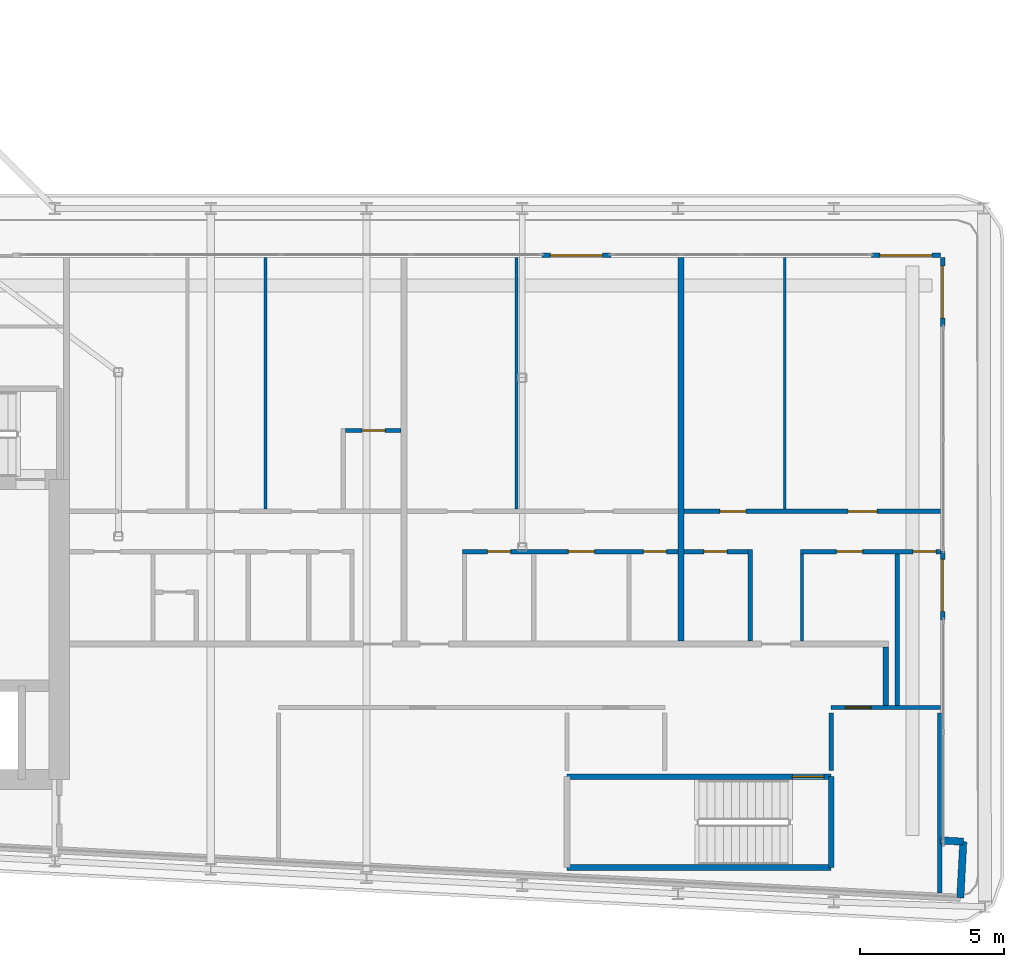
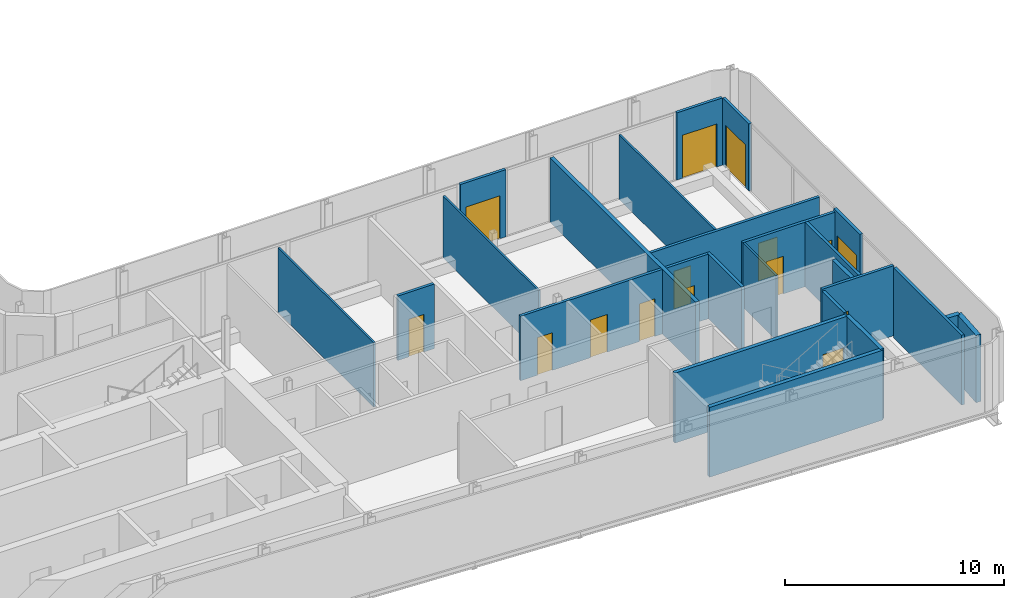
# One storey, part 12 of 21: 25 walls, 15 doors, 15 openings.
"""IFC4 building model written with IfcOpenShell, lengths in metres."""

from ifc_helpers import new_model, si_unit, direction, frame, frame_2d, origin, place, context, subcontext, project, spatial, rectangle, extrude, source, transform, mapped, material, layer, layer_set, type_object, element, fill, save


model = new_model("IFC4")

# Units and contexts
model_context = context("Model", 3, precision=1e-05, world=origin(), true_north=direction((0.0, 1.0)))
body_context = subcontext(model_context, "Body", "Model", "MODEL_VIEW")
ifc_project = project(units=[si_unit("LENGTHUNIT", "METRE"), si_unit("AREAUNIT", "SQUARE_METRE"), si_unit("VOLUMEUNIT", "CUBIC_METRE"), si_unit("PLANEANGLEUNIT", "RADIAN"), si_unit("MASSUNIT", "GRAM", prefix="KILO")], contexts=[model_context])

# Site, building, storey
site_placement = place(None, origin())
site = spatial("IfcSite", under=ifc_project, at=site_placement, CompositionType="ELEMENT")
building_placement = place(site_placement, origin())
building = spatial("IfcBuilding", under=site, at=building_placement, Name="Kheshtan School and Residences Tower", CompositionType="ELEMENT")
storey_placement = place(building_placement, frame((0.0, 0.0, 220.10009765625)))
storey = spatial("IfcBuildingStorey", under=building, at=storey_placement, Name="L51", CompositionType="ELEMENT", Elevation=220.10009765625)

# Walls
ifc_material_1 = material(Name="Gypsum board on steel studs with fire boards", Category="steel")
ifc_layer_1 = layer(ifc_material_1, 0.199951171875)
ifc_layer_set_1 = layer_set([ifc_layer_1], Name="Corridor wall 200")
wall_type_1 = type_object("IfcWallType", Name="Corridor wall 200", PredefinedType="PARTITIONING", material=ifc_layer_set_1)
wall_1_placement = place(storey_placement, frame((81.800048828125, 28.3740234375, 0.0), z_axis=(0.0, 0.0, 1.0), x_axis=(0.0, 1.0, 0.0)))
element("IfcWall", 1, at=wall_1_placement, inside=storey, type_object=wall_type_1, Name="Partition L51-051", PredefinedType="PARTITIONING", context=body_context, shape_type="SweptSolid", body=[
    extrude(rectangle(XDim=2.02587890625, YDim=0.199951171875, at=frame_2d((1.012939453125, 0.0))), origin(), (0.0, 0.0, 1.0), 3.599853515625),
])
ifc_material_2 = material(Name="Concrete C40/50 with ceramic cladding and mineral wool insulation", Category="concrete")
ifc_layer_2 = layer(ifc_material_2, 0.25)
ifc_layer_set_2 = layer_set([ifc_layer_2], Name="External wall 250 ceramic clad")
wall_type_2 = type_object("IfcWallType", Name="External wall 250 ceramic clad", PredefinedType="SOLIDWALL", material=ifc_layer_set_2)
wall_2_placement = place(storey_placement, frame((83.70703125, 23.69189453125, 0.0), z_axis=(0.0, 0.0, 1.0), x_axis=(0.998561284263, -0.053622398031, 0.0)))
element("IfcWall", 2, at=wall_2_placement, inside=storey, type_object=wall_type_2, Name="External wall L51 10", PredefinedType="SOLIDWALL", context=body_context, shape_type="SweptSolid", body=[
    extrude(rectangle(XDim=0.783203125, YDim=0.25, at=frame_2d((0.3916015625, 0.0))), origin(), (0.0, 0.0, 1.0), 3.75),
])
wall_3_placement = place(storey_placement, frame((84.489013671875, 23.64990234375, 0.0), z_axis=(0.0, 0.0, 1.0), x_axis=(-0.052841433274, -0.998602915542, 0.0)))
element("IfcWall", 3, at=wall_3_placement, inside=storey, type_object=wall_type_2, Name="External wall L51 11", PredefinedType="SOLIDWALL", context=body_context, shape_type="SweptSolid", body=[
    extrude(rectangle(XDim=1.94970703125, YDim=0.25, at=frame_2d((0.974853515625, 0.0))), origin(), (0.0, 0.0, 1.0), 3.75),
])

# Wall, opening, door
ifc_material_3 = material(Name="Aluminium frame wall with insulated infill", Category="aluminium")
ifc_layer_3 = layer(ifc_material_3, 0.14990234375)
ifc_layer_set_3 = layer_set([ifc_layer_3], Name="Glazing frame wall 150")
wall_type_3 = type_object("IfcWallType", Name="Glazing frame wall 150", PredefinedType="SOLIDWALL", material=ifc_layer_set_3)
wall_4_placement = place(storey_placement, frame((69.876953125, 43.97509765625, 0.0), z_axis=(0.0, 0.0, 1.0), x_axis=(1.0, 0.0, 0.0)))
wall_4 = element("IfcWall", 4, at=wall_4_placement, inside=storey, type_object=wall_type_3, Name="Balcony door wall L51 8.2", PredefinedType="SOLIDWALL", context=body_context, shape_type="SweptSolid", body=[
    extrude(rectangle(XDim=2.400146484375, YDim=0.14990234375, at=frame_2d((1.2001953125, 0.0))), origin(), (0.0, 0.0, 1.0), 3.75),
])
opening_1_placement = place(wall_4_placement, frame((0.300048828125, 0.0, 0.0)))
opening_1 = element("IfcOpeningElement", 5, at=opening_1_placement, cuts=wall_4, Name="Opening BD", PredefinedType="OPENING", context=body_context, shape_type="SweptSolid", body=[
    extrude(rectangle(XDim=1.800048828125, YDim=2.39990234375, at=frame_2d((0.89990234375, 1.199951171875))), frame((0.0, 0.0849609375, 0.0), z_axis=(0.0, -1.0, 0.0), x_axis=(1.0, 0.0, 0.0)), (0.0, 0.0, 1.0), 0.169921875),
])
ifc_material_4 = material(Name="Clear low-e glass in thermally broken aluminium frame", Category="aluminium")
door_type_1 = type_object("IfcDoorType", Name="Balcony sliding door", OperationType="SLIDING_TO_LEFT", PredefinedType="DOOR", material=ifc_material_4)
shared_shape_1 = source(origin(), body_context, "Body", "SweptSolid", [
    extrude(rectangle(XDim=1.800048828125, YDim=2.39990234375, at=frame_2d((0.89990234375, 1.199951171875))), frame((0.0, 0.02490234375, 0.0), z_axis=(0.0, -1.0, 0.0), x_axis=(1.0, 0.0, 0.0)), (0.0, 0.0, 1.0), 0.050048828125),
])
door_1_placement = place(opening_1_placement, origin())
door_1 = element("IfcDoor", 6, at=door_1_placement, inside=storey, type_object=door_type_1, Name="Balcony door L51 8.2", OperationType="SLIDING_TO_LEFT", OverallHeight=2.39990234375, OverallWidth=1.800048828125, PredefinedType="DOOR", context=body_context, shape_type="MappedRepresentation", body=[
    mapped(shared_shape_1, transform((0.0, 0.0, 0.0), x_axis=(1.0, 0.0, 0.0), y_axis=(0.0, 1.0, 0.0), z_axis=(0.0, 0.0, 1.0), scale=1.0)),
])
fill(opening_1, door_1)

wall_5_placement = place(storey_placement, frame((81.300048828125, 43.97509765625, 0.0), z_axis=(0.0, 0.0, 1.0), x_axis=(1.0, 0.0, 0.0)))
wall_5 = element("IfcWall", 7, at=wall_5_placement, inside=storey, type_object=wall_type_3, Name="Balcony door wall L51 8.3", PredefinedType="SOLIDWALL", context=body_context, shape_type="SweptSolid", body=[
    extrude(rectangle(XDim=2.39990234375, YDim=0.14990234375, at=frame_2d((1.199951171875, 0.0))), origin(), (0.0, 0.0, 1.0), 3.75),
])
opening_2_placement = place(wall_5_placement, frame((0.300048828125, 0.0, 0.0)))
opening_2 = element("IfcOpeningElement", 8, at=opening_2_placement, cuts=wall_5, Name="Opening BD", PredefinedType="OPENING", context=body_context, shape_type="SweptSolid", body=[
    extrude(rectangle(XDim=1.800048828125, YDim=2.39990234375, at=frame_2d((0.89990234375, 1.199951171875))), frame((0.0, 0.0849609375, 0.0), z_axis=(0.0, -1.0, 0.0), x_axis=(1.0, 0.0, 0.0)), (0.0, 0.0, 1.0), 0.169921875),
])
door_2_placement = place(opening_2_placement, origin())
door_2 = element("IfcDoor", 9, at=door_2_placement, inside=storey, type_object=door_type_1, Name="Balcony door L51 8.3", OperationType="SLIDING_TO_LEFT", OverallHeight=2.39990234375, OverallWidth=1.800048828125, PredefinedType="DOOR", context=body_context, shape_type="MappedRepresentation", body=[
    mapped(shared_shape_1, transform((0.0, 0.0, 0.0), x_axis=(1.0, 0.0, 0.0), y_axis=(0.0, 1.0, 0.0), z_axis=(0.0, 0.0, 1.0), scale=1.0)),
])
fill(opening_2, door_2)

wall_6_placement = place(storey_placement, frame((83.77490234375, 43.89990234375, 0.0), z_axis=(0.0, 0.0, 1.0), x_axis=(0.0, -1.0, 0.0)))
wall_6 = element("IfcWall", 10, at=wall_6_placement, inside=storey, type_object=wall_type_3, Name="Balcony door wall L51 9.1", PredefinedType="SOLIDWALL", context=body_context, shape_type="SweptSolid", body=[
    extrude(rectangle(XDim=2.39990234375, YDim=0.14990234375, at=frame_2d((1.199951171875, 0.0))), origin(), (0.0, 0.0, 1.0), 3.75),
])
opening_3_placement = place(wall_6_placement, frame((0.300048828125, 0.0, 0.0)))
opening_3 = element("IfcOpeningElement", 11, at=opening_3_placement, cuts=wall_6, Name="Opening BD", PredefinedType="OPENING", context=body_context, shape_type="SweptSolid", body=[
    extrude(rectangle(XDim=1.800048828125, YDim=2.39990234375, at=frame_2d((0.89990234375, 1.199951171875))), frame((0.0, 0.0849609375, 0.0), z_axis=(0.0, -1.0, 0.0), x_axis=(1.0, 0.0, 0.0)), (0.0, 0.0, 1.0), 0.169921875),
])
door_3_placement = place(opening_3_placement, origin())
door_3 = element("IfcDoor", 12, at=door_3_placement, inside=storey, type_object=door_type_1, Name="Balcony door L51 9.1", OperationType="SLIDING_TO_LEFT", OverallHeight=2.39990234375, OverallWidth=1.800048828125, PredefinedType="DOOR", context=body_context, shape_type="MappedRepresentation", body=[
    mapped(shared_shape_1, transform((0.0, 0.0, 0.0), x_axis=(1.0, 0.0, 0.0), y_axis=(0.0, 1.0, 0.0), z_axis=(0.0, 0.0, 1.0), scale=1.0)),
])
fill(opening_3, door_3)

wall_7_placement = place(storey_placement, frame((83.77490234375, 33.73291015625, 0.0), z_axis=(0.0, 0.0, 1.0), x_axis=(0.0, -1.0, 0.0)))
wall_7 = element("IfcWall", 13, at=wall_7_placement, inside=storey, type_object=wall_type_3, Name="Balcony door wall L51 9.2", PredefinedType="SOLIDWALL", context=body_context, shape_type="SweptSolid", body=[
    extrude(rectangle(XDim=2.39892578125, YDim=0.14990234375, at=frame_2d((1.199462890625, 0.0))), origin(), (0.0, 0.0, 1.0), 3.75),
])
opening_4_placement = place(wall_7_placement, frame((0.300048828125, 0.0, 0.0)))
opening_4 = element("IfcOpeningElement", 14, at=opening_4_placement, cuts=wall_7, Name="Opening BD", PredefinedType="OPENING", context=body_context, shape_type="SweptSolid", body=[
    extrude(rectangle(XDim=1.800048828125, YDim=2.39990234375, at=frame_2d((0.89990234375, 1.199951171875))), frame((0.0, 0.0849609375, 0.0), z_axis=(0.0, -1.0, 0.0), x_axis=(1.0, 0.0, 0.0)), (0.0, 0.0, 1.0), 0.169921875),
])
door_4_placement = place(opening_4_placement, origin())
door_4 = element("IfcDoor", 15, at=door_4_placement, inside=storey, type_object=door_type_1, Name="Balcony door L51 9.2", OperationType="SLIDING_TO_LEFT", OverallHeight=2.39990234375, OverallWidth=1.800048828125, PredefinedType="DOOR", context=body_context, shape_type="MappedRepresentation", body=[
    mapped(shared_shape_1, transform((0.0, 0.0, 0.0), x_axis=(1.0, 0.0, 0.0), y_axis=(0.0, 1.0, 0.0), z_axis=(0.0, 0.0, 1.0), scale=1.0)),
])
fill(opening_4, door_4)

# Walls
ifc_material_5 = material(Name="Gypsum board on steel studs", Category="steel")
ifc_layer_4 = layer(ifc_material_5, 0.10009765625)
ifc_layer_set_4 = layer_set([ifc_layer_4], Name="Gypsum partition 100")
wall_type_4 = type_object("IfcWallType", Name="Gypsum partition 100", PredefinedType="PARTITIONING", material=ifc_layer_set_4)
wall_8_placement = place(storey_placement, frame((60.300048828125, 35.175048828125, 0.0), z_axis=(0.0, 0.0, 1.0), x_axis=(0.0, 1.0, 0.0)))
element("IfcWall", 16, at=wall_8_placement, inside=storey, type_object=wall_type_4, Name="Partition L51-032", PredefinedType="PARTITIONING", context=body_context, shape_type="SweptSolid", body=[
    extrude(rectangle(XDim=8.724853515625, YDim=0.10009765625, at=frame_2d((4.3623046875, 0.0))), origin(), (0.0, 0.0, 1.0), 3.599853515625),
])
wall_9_placement = place(storey_placement, frame((69.0, 35.175048828125, 0.0), z_axis=(0.0, 0.0, 1.0), x_axis=(0.0, 1.0, 0.0)))
element("IfcWall", 17, at=wall_9_placement, inside=storey, type_object=wall_type_4, Name="Partition L51-041", PredefinedType="PARTITIONING", context=body_context, shape_type="SweptSolid", body=[
    extrude(rectangle(XDim=8.724853515625, YDim=0.10009765625, at=frame_2d((4.3623046875, 0.0))), origin(), (0.0, 0.0, 1.0), 3.447021484375),
])
wall_10_placement = place(storey_placement, frame((78.300048828125, 35.175048828125, 0.0), z_axis=(0.0, 0.0, 1.0), x_axis=(0.0, 1.0, 0.0)))
element("IfcWall", 18, at=wall_10_placement, inside=storey, type_object=wall_type_4, Name="Partition L51-048", PredefinedType="PARTITIONING", context=body_context, shape_type="SweptSolid", body=[
    extrude(rectangle(XDim=8.724853515625, YDim=0.10009765625, at=frame_2d((4.3623046875, 0.0))), origin(), (0.0, 0.0, 1.0), 3.599853515625),
])
wall_11_placement = place(storey_placement, frame((78.89990234375, 30.60009765625, 0.0), z_axis=(0.0, 0.0, 1.0), x_axis=(0.0, 1.0, 0.0)))
element("IfcWall", 19, at=wall_11_placement, inside=storey, type_object=wall_type_4, Name="Partition L51-050", PredefinedType="PARTITIONING", context=body_context, shape_type="SweptSolid", body=[
    extrude(rectangle(XDim=3.02490234375, YDim=0.10009765625, at=frame_2d((1.512451171875, 0.0))), origin(), (0.0, 0.0, 1.0), 3.599853515625),
])

# Wall, opening, door
ifc_material_6 = material(Name="Fire-board shaft wall system")
ifc_layer_5 = layer(ifc_material_6, 0.14990234375)
ifc_layer_set_5 = layer_set([ifc_layer_5], Name="Service room wall 150")
wall_type_5 = type_object("IfcWallType", Name="Service room wall 150", PredefinedType="PARTITIONING", material=ifc_layer_set_5)
wall_12_placement = place(storey_placement, frame((79.909912109375, 28.300048828125, 0.0), z_axis=(0.0, 0.0, 1.0), x_axis=(1.0, 0.0, 0.0)))
wall_12 = element("IfcWall", 20, at=wall_12_placement, inside=storey, type_object=wall_type_5, Name="Service room wall", PredefinedType="PARTITIONING", context=body_context, shape_type="SweptSolid", body=[
    extrude(rectangle(XDim=3.7880859375, YDim=0.14990234375, at=frame_2d((1.89404296875, 0.0))), origin(), (0.0, 0.0, 1.0), 3.89990234375),
])
opening_5_placement = place(wall_12_placement, frame((0.4951171875, 0.0, 0.0)))
opening_5 = element("IfcOpeningElement", 21, at=opening_5_placement, cuts=wall_12, Name="Opening SR90", PredefinedType="OPENING", context=body_context, shape_type="SweptSolid", body=[
    extrude(rectangle(XDim=0.89990234375, YDim=2.199951171875, at=frame_2d((0.449951171875, 1.10009765625))), frame((0.0, 0.0849609375, 0.0), z_axis=(0.0, -1.0, 0.0), x_axis=(1.0, 0.0, 0.0)), (0.0, 0.0, 1.0), 0.169921875),
])
ifc_material_7 = material(Name="Steel door leaf, galvanised", Category="steel")
door_type_2 = type_object("IfcDoorType", Name="Service room door 900 steel 90 min", OperationType="SINGLE_SWING_LEFT", PredefinedType="DOOR", material=ifc_material_7)
shared_shape_2 = source(origin(), body_context, "Body", "SweptSolid", [
    extrude(rectangle(XDim=0.89990234375, YDim=2.199951171875, at=frame_2d((0.449951171875, 1.10009765625))), frame((0.0, 0.02490234375, 0.0), z_axis=(0.0, -1.0, 0.0), x_axis=(1.0, 0.0, 0.0)), (0.0, 0.0, 1.0), 0.050048828125),
])
door_5_placement = place(opening_5_placement, origin())
door_5 = element("IfcDoor", 22, at=door_5_placement, inside=storey, type_object=door_type_2, Name="Service room door", OperationType="SINGLE_SWING_RIGHT", OverallHeight=2.199951171875, OverallWidth=0.89990234375, PredefinedType="DOOR", context=body_context, shape_type="MappedRepresentation", body=[
    mapped(shared_shape_2, transform((0.0, 0.0, 0.0), x_axis=(1.0, 0.0, 0.0), y_axis=(0.0, 1.0, 0.0), z_axis=(0.0, 0.0, 1.0), scale=1.0)),
])
fill(opening_5, door_5)

# Walls
wall_13_placement = place(storey_placement, frame((79.909912109375, 26.1201171875, 0.0), z_axis=(0.0, 0.0, 1.0), x_axis=(0.0, 1.0, 0.0)))
element("IfcWall", 23, at=wall_13_placement, inside=storey, type_object=wall_type_5, Name="Service room wall", PredefinedType="PARTITIONING", context=body_context, shape_type="SweptSolid", body=[
    extrude(rectangle(XDim=1.98486328125, YDim=0.14990234375, at=frame_2d((0.992431640625, 0.0))), origin(), (0.0, 0.0, 1.0), 3.89990234375),
])
wall_14_placement = place(storey_placement, frame((83.669921875, 21.867919921875, 0.0), z_axis=(0.0, 0.0, 1.0), x_axis=(0.0, 1.0, 0.0)))
element("IfcWall", 24, at=wall_14_placement, inside=storey, type_object=wall_type_5, Name="Service room wall", PredefinedType="PARTITIONING", context=body_context, shape_type="SweptSolid", body=[
    extrude(rectangle(XDim=6.237060546875, YDim=0.14990234375, at=frame_2d((3.11865234375, 0.0))), origin(), (0.0, 0.0, 1.0), 3.89990234375),
])
ifc_material_8 = material(Name="Concrete C40/50", Category="concrete")
ifc_layer_6 = layer(ifc_material_8, 0.199951171875)
ifc_layer_set_6 = layer_set([ifc_layer_6], Name="Stair enclosure wall 200 Concrete C40/50")
wall_type_6 = type_object("IfcWallType", Name="Stair enclosure wall 200 Concrete C40/50", PredefinedType="SHEAR", material=ifc_layer_set_6)
wall_15_placement = place(storey_placement, frame((70.75, 22.75, 0.0), z_axis=(0.0, 0.0, 1.0), x_axis=(1.0, 0.0, 0.0)))
element("IfcWall", 25, at=wall_15_placement, inside=storey, type_object=wall_type_6, Name="Stair enclosure wall ST5", PredefinedType="SHEAR", context=body_context, shape_type="SweptSolid", body=[
    extrude(rectangle(XDim=9.159912109375, YDim=0.199951171875, at=frame_2d((4.580078125, 0.0))), origin(), (0.0, 0.0, 1.0), 3.89990234375),
])

# Wall, opening, door
wall_16_placement = place(storey_placement, frame((70.75, 25.89990234375, 0.0), z_axis=(0.0, 0.0, 1.0), x_axis=(1.0, 0.0, 0.0)))
wall_16 = element("IfcWall", 26, at=wall_16_placement, inside=storey, type_object=wall_type_6, Name="Stair enclosure wall ST5", PredefinedType="SHEAR", context=body_context, shape_type="SweptSolid", body=[
    extrude(rectangle(XDim=9.159912109375, YDim=0.199951171875, at=frame_2d((4.580078125, 0.0))), origin(), (0.0, 0.0, 1.0), 3.89990234375),
])
opening_6_placement = place(wall_16_placement, frame((7.81005859375, 0.0, 0.0)))
opening_6 = element("IfcOpeningElement", 27, at=opening_6_placement, cuts=wall_16, Name="Opening ST5D", PredefinedType="OPENING", context=body_context, shape_type="SweptSolid", body=[
    extrude(rectangle(XDim=1.10009765625, YDim=2.199951171875, at=frame_2d((0.550048828125, 1.10009765625))), frame((0.0, 0.10986328125, 0.0), z_axis=(0.0, -1.0, 0.0), x_axis=(1.0, 0.0, 0.0)), (0.0, 0.0, 1.0), 0.219970703125),
])
door_type_3 = type_object("IfcDoorType", Name="Stair door 1100 steel 90 min", OperationType="SINGLE_SWING_LEFT", PredefinedType="DOOR", material=ifc_material_7)
shared_shape_3 = source(origin(), body_context, "Body", "SweptSolid", [
    extrude(rectangle(XDim=1.10009765625, YDim=2.199951171875, at=frame_2d((0.550048828125, 1.10009765625))), frame((0.0, 0.02490234375, 0.0), z_axis=(0.0, -1.0, 0.0), x_axis=(1.0, 0.0, 0.0)), (0.0, 0.0, 1.0), 0.050048828125),
])
door_6_placement = place(opening_6_placement, origin())
door_6 = element("IfcDoor", 28, at=door_6_placement, inside=storey, type_object=door_type_3, Name="Stair ST5 door", OperationType="SINGLE_SWING_LEFT", OverallHeight=2.199951171875, OverallWidth=1.10009765625, PredefinedType="DOOR", context=body_context, shape_type="MappedRepresentation", body=[
    mapped(shared_shape_3, transform((0.0, 0.0, 0.0), x_axis=(1.0, 0.0, 0.0), y_axis=(0.0, 1.0, 0.0), z_axis=(0.0, 0.0, 1.0), scale=1.0)),
])
fill(opening_6, door_6)

# Walls
wall_17_placement = place(storey_placement, frame((79.909912109375, 22.75, 0.0), z_axis=(0.0, 0.0, 1.0), x_axis=(0.0, 1.0, 0.0)))
element("IfcWall", 29, at=wall_17_placement, inside=storey, type_object=wall_type_6, Name="Stair enclosure wall ST5", PredefinedType="SHEAR", context=body_context, shape_type="SweptSolid", body=[
    extrude(rectangle(XDim=3.14990234375, YDim=0.199951171875, at=frame_2d((1.574951171875, 0.0))), origin(), (0.0, 0.0, 1.0), 3.89990234375),
])
ifc_material_9 = material(Name="Twin gypsum board on steel studs with mineral wool", Category="steel")
ifc_layer_7 = layer(ifc_material_9, 0.199951171875)
ifc_layer_set_7 = layer_set([ifc_layer_7], Name="Unit demising wall 200")
wall_type_7 = type_object("IfcWallType", Name="Unit demising wall 200", PredefinedType="PARTITIONING", material=ifc_layer_set_7)
wall_18_placement = place(storey_placement, frame((74.699951171875, 30.60009765625, 0.0), z_axis=(0.0, 0.0, 1.0), x_axis=(0.0, 1.0, 0.0)))
element("IfcWall", 30, at=wall_18_placement, inside=storey, type_object=wall_type_7, Name="Partition L51-044", PredefinedType="PARTITIONING", context=body_context, shape_type="SweptSolid", body=[
    extrude(rectangle(XDim=13.2998046875, YDim=0.199951171875, at=frame_2d((6.64990234375, 0.0))), origin(), (0.0, 0.0, 1.0), 3.599853515625),
])

# Wall, opening, door
ifc_material_10 = material(Name="Moisture-resistant gypsum board on steel studs", Category="steel")
ifc_layer_8 = layer(ifc_material_10, 0.14990234375)
ifc_layer_set_8 = layer_set([ifc_layer_8], Name="Wet-room partition 150")
wall_type_8 = type_object("IfcWallType", Name="Wet-room partition 150", PredefinedType="PARTITIONING", material=ifc_layer_set_8)
wall_19_placement = place(storey_placement, frame((63.074951171875, 37.89990234375, 0.0), z_axis=(0.0, 0.0, 1.0), x_axis=(1.0, 0.0, 0.0)))
wall_19 = element("IfcWall", 31, at=wall_19_placement, inside=storey, type_object=wall_type_8, Name="Partition L51-035", PredefinedType="PARTITIONING", context=body_context, shape_type="SweptSolid", body=[
    extrude(rectangle(XDim=1.925048828125, YDim=0.14990234375, at=frame_2d((0.96240234375, 0.0))), origin(), (0.0, 0.0, 1.0), 3.599853515625),
])
opening_7_placement = place(wall_19_placement, frame((0.574951171875, 0.0, 0.0)))
opening_7 = element("IfcOpeningElement", 32, at=opening_7_placement, cuts=wall_19, Name="Opening D50-003", PredefinedType="OPENING", context=body_context, shape_type="SweptSolid", body=[
    extrude(rectangle(XDim=0.800048828125, YDim=2.10009765625, at=frame_2d((0.39990234375, 1.050048828125))), frame((0.0, 0.0849609375, 0.0), z_axis=(0.0, -1.0, 0.0), x_axis=(1.0, 0.0, 0.0)), (0.0, 0.0, 1.0), 0.169921875),
])
ifc_material_11 = material(Name="Veneered timber door leaf", Category="wood")
door_type_4 = type_object("IfcDoorType", Name="Door 800 x 2100", OperationType="SINGLE_SWING_LEFT", PredefinedType="DOOR", material=ifc_material_11)
shared_shape_4 = source(origin(), body_context, "Body", "SweptSolid", [
    extrude(rectangle(XDim=0.800048828125, YDim=2.10009765625, at=frame_2d((0.39990234375, 1.050048828125))), frame((0.0, 0.02490234375, 0.0), z_axis=(0.0, -1.0, 0.0), x_axis=(1.0, 0.0, 0.0)), (0.0, 0.0, 1.0), 0.050048828125),
])
door_7_placement = place(opening_7_placement, origin())
door_7 = element("IfcDoor", 33, at=door_7_placement, inside=storey, type_object=door_type_4, Name="Door D50-003", OperationType="SINGLE_SWING_LEFT", OverallHeight=2.10009765625, OverallWidth=0.800048828125, PredefinedType="DOOR", context=body_context, shape_type="MappedRepresentation", body=[
    mapped(shared_shape_4, transform((0.0, 0.0, 0.0), x_axis=(1.0, 0.0, 0.0), y_axis=(0.0, 1.0, 0.0), z_axis=(0.0, 0.0, 1.0), scale=1.0)),
])
fill(opening_7, door_7)

# Wall, openings, doors
wall_20_placement = place(storey_placement, frame((67.125, 33.699951171875, 0.0), z_axis=(0.0, 0.0, 1.0), x_axis=(1.0, 0.0, 0.0)))
wall_20 = element("IfcWall", 34, at=wall_20_placement, inside=storey, type_object=wall_type_8, Name="Partition L51-039", PredefinedType="PARTITIONING", context=body_context, shape_type="SweptSolid", body=[
    extrude(rectangle(XDim=7.47509765625, YDim=0.14990234375, at=frame_2d((3.737548828125, 0.0))), origin(), (0.0, 0.0, 1.0), 3.599853515625),
])
opening_8_placement = place(wall_20_placement, frame((0.875, 0.0, 0.0)))
opening_8 = element("IfcOpeningElement", 35, at=opening_8_placement, cuts=wall_20, Name="Opening D50-011", PredefinedType="OPENING", context=body_context, shape_type="SweptSolid", body=[
    extrude(rectangle(XDim=0.800048828125, YDim=2.10009765625, at=frame_2d((0.39990234375, 1.050048828125))), frame((0.0, 0.0849609375, 0.0), z_axis=(0.0, -1.0, 0.0), x_axis=(1.0, 0.0, 0.0)), (0.0, 0.0, 1.0), 0.169921875),
])
opening_9_placement = place(wall_20_placement, frame((3.675048828125, 0.0, 0.0)))
opening_9 = element("IfcOpeningElement", 36, at=opening_9_placement, cuts=wall_20, Name="Opening D50-014", PredefinedType="OPENING", context=body_context, shape_type="SweptSolid", body=[
    extrude(rectangle(XDim=0.89990234375, YDim=2.10009765625, at=frame_2d((0.449951171875, 1.050048828125))), frame((0.0, 0.0849609375, 0.0), z_axis=(0.0, -1.0, 0.0), x_axis=(1.0, 0.0, 0.0)), (0.0, 0.0, 1.0), 0.169921875),
])
opening_10_placement = place(wall_20_placement, frame((6.27490234375, 0.0, 0.0)))
opening_10 = element("IfcOpeningElement", 37, at=opening_10_placement, cuts=wall_20, Name="Opening D50-016", PredefinedType="OPENING", context=body_context, shape_type="SweptSolid", body=[
    extrude(rectangle(XDim=0.800048828125, YDim=2.10009765625, at=frame_2d((0.39990234375, 1.050048828125))), frame((0.0, 0.0849609375, 0.0), z_axis=(0.0, -1.0, 0.0), x_axis=(1.0, 0.0, 0.0)), (0.0, 0.0, 1.0), 0.169921875),
])
door_8_placement = place(opening_8_placement, origin())
door_8 = element("IfcDoor", 38, at=door_8_placement, inside=storey, type_object=door_type_4, Name="Door D50-011", OperationType="SINGLE_SWING_RIGHT", OverallHeight=2.10009765625, OverallWidth=0.800048828125, PredefinedType="DOOR", context=body_context, shape_type="MappedRepresentation", body=[
    mapped(shared_shape_4, transform((0.0, 0.0, 0.0), x_axis=(1.0, 0.0, 0.0), y_axis=(0.0, 1.0, 0.0), z_axis=(0.0, 0.0, 1.0), scale=1.0)),
])
fill(opening_8, door_8)
door_9_placement = place(opening_10_placement, origin())
door_9 = element("IfcDoor", 39, at=door_9_placement, inside=storey, type_object=door_type_4, Name="Door D50-016", OperationType="SINGLE_SWING_RIGHT", OverallHeight=2.10009765625, OverallWidth=0.800048828125, PredefinedType="DOOR", context=body_context, shape_type="MappedRepresentation", body=[
    mapped(shared_shape_4, transform((0.0, 0.0, 0.0), x_axis=(1.0, 0.0, 0.0), y_axis=(0.0, 1.0, 0.0), z_axis=(0.0, 0.0, 1.0), scale=1.0)),
])
fill(opening_10, door_9)
door_type_5 = type_object("IfcDoorType", Name="Door 900 x 2100", OperationType="SINGLE_SWING_LEFT", PredefinedType="DOOR", material=ifc_material_11)
shared_shape_5 = source(origin(), body_context, "Body", "SweptSolid", [
    extrude(rectangle(XDim=0.89990234375, YDim=2.10009765625, at=frame_2d((0.449951171875, 1.050048828125))), frame((0.0, 0.02490234375, 0.0), z_axis=(0.0, -1.0, 0.0), x_axis=(1.0, 0.0, 0.0)), (0.0, 0.0, 1.0), 0.050048828125),
])
door_10_placement = place(opening_9_placement, origin())
door_10 = element("IfcDoor", 40, at=door_10_placement, inside=storey, type_object=door_type_5, Name="Door D50-014", OperationType="SINGLE_SWING_RIGHT", OverallHeight=2.10009765625, OverallWidth=0.89990234375, PredefinedType="DOOR", context=body_context, shape_type="MappedRepresentation", body=[
    mapped(shared_shape_5, transform((0.0, 0.0, 0.0), x_axis=(1.0, 0.0, 0.0), y_axis=(0.0, 1.0, 0.0), z_axis=(0.0, 0.0, 1.0), scale=1.0)),
])
fill(opening_9, door_10)

# Wall, opening, door
wall_21_placement = place(storey_placement, frame((74.800048828125, 33.699951171875, 0.0), z_axis=(0.0, 0.0, 1.0), x_axis=(1.0, 0.0, 0.0)))
wall_21 = element("IfcWall", 41, at=wall_21_placement, inside=storey, type_object=wall_type_8, Name="Partition L51-045", PredefinedType="PARTITIONING", context=body_context, shape_type="SweptSolid", body=[
    extrude(rectangle(XDim=2.224853515625, YDim=0.14990234375, at=frame_2d((1.1123046875, 0.0))), origin(), (0.0, 0.0, 1.0), 3.599853515625),
])
opening_11_placement = place(wall_21_placement, frame((0.699951171875, 0.0, 0.0)))
opening_11 = element("IfcOpeningElement", 42, at=opening_11_placement, cuts=wall_21, Name="Opening D50-017", PredefinedType="OPENING", context=body_context, shape_type="SweptSolid", body=[
    extrude(rectangle(XDim=0.800048828125, YDim=2.10009765625, at=frame_2d((0.39990234375, 1.050048828125))), frame((0.0, 0.0849609375, 0.0), z_axis=(0.0, -1.0, 0.0), x_axis=(1.0, 0.0, 0.0)), (0.0, 0.0, 1.0), 0.169921875),
])
door_11_placement = place(opening_11_placement, origin())
door_11 = element("IfcDoor", 43, at=door_11_placement, inside=storey, type_object=door_type_4, Name="Door D50-017", OperationType="SINGLE_SWING_RIGHT", OverallHeight=2.10009765625, OverallWidth=0.800048828125, PredefinedType="DOOR", context=body_context, shape_type="MappedRepresentation", body=[
    mapped(shared_shape_4, transform((0.0, 0.0, 0.0), x_axis=(1.0, 0.0, 0.0), y_axis=(0.0, 1.0, 0.0), z_axis=(0.0, 0.0, 1.0), scale=1.0)),
])
fill(opening_11, door_11)

# Wall, openings, doors
wall_22_placement = place(storey_placement, frame((74.800048828125, 35.10009765625, 0.0), z_axis=(0.0, 0.0, 1.0), x_axis=(1.0, 0.0, 0.0)))
wall_22 = element("IfcWall", 44, at=wall_22_placement, inside=storey, type_object=wall_type_8, Name="Partition L51-046", PredefinedType="PARTITIONING", context=body_context, shape_type="SweptSolid", body=[
    extrude(rectangle(XDim=8.89990234375, YDim=0.14990234375, at=frame_2d((4.449951171875, 0.0))), origin(), (0.0, 0.0, 1.0), 3.599853515625),
])
opening_12_placement = place(wall_22_placement, frame((1.25, 0.0, 0.0)))
opening_12 = element("IfcOpeningElement", 45, at=opening_12_placement, cuts=wall_22, Name="Opening D50-018", PredefinedType="OPENING", context=body_context, shape_type="SweptSolid", body=[
    extrude(rectangle(XDim=0.89990234375, YDim=2.10009765625, at=frame_2d((0.449951171875, 1.050048828125))), frame((0.0, 0.0849609375, 0.0), z_axis=(0.0, -1.0, 0.0), x_axis=(1.0, 0.0, 0.0)), (0.0, 0.0, 1.0), 0.169921875),
])
opening_13_placement = place(wall_22_placement, frame((5.699951171875, 0.0, 0.0)))
opening_13 = element("IfcOpeningElement", 46, at=opening_13_placement, cuts=wall_22, Name="Opening D50-021", PredefinedType="OPENING", context=body_context, shape_type="SweptSolid", body=[
    extrude(rectangle(XDim=1.0, YDim=2.10009765625, at=frame_2d((0.5, 1.050048828125))), frame((0.0, 0.0849609375, 0.0), z_axis=(0.0, -1.0, 0.0), x_axis=(1.0, 0.0, 0.0)), (0.0, 0.0, 1.0), 0.169921875),
])
door_type_6 = type_object("IfcDoorType", Name="Door 1000 x 2100", OperationType="SINGLE_SWING_LEFT", PredefinedType="DOOR", material=ifc_material_11)
shared_shape_6 = source(origin(), body_context, "Body", "SweptSolid", [
    extrude(rectangle(XDim=1.0, YDim=2.10009765625, at=frame_2d((0.5, 1.050048828125))), frame((0.0, 0.02490234375, 0.0), z_axis=(0.0, -1.0, 0.0), x_axis=(1.0, 0.0, 0.0)), (0.0, 0.0, 1.0), 0.050048828125),
])
door_12_placement = place(opening_13_placement, origin())
door_12 = element("IfcDoor", 47, at=door_12_placement, inside=storey, type_object=door_type_6, Name="Door D50-021", OperationType="SINGLE_SWING_RIGHT", OverallHeight=2.10009765625, OverallWidth=1.0, PredefinedType="DOOR", context=body_context, shape_type="MappedRepresentation", body=[
    mapped(shared_shape_6, transform((0.0, 0.0, 0.0), x_axis=(1.0, 0.0, 0.0), y_axis=(0.0, 1.0, 0.0), z_axis=(0.0, 0.0, 1.0), scale=1.0)),
])
fill(opening_13, door_12)
door_13_placement = place(opening_12_placement, origin())
door_13 = element("IfcDoor", 48, at=door_13_placement, inside=storey, type_object=door_type_5, Name="Door D50-018", OperationType="SINGLE_SWING_RIGHT", OverallHeight=2.10009765625, OverallWidth=0.89990234375, PredefinedType="DOOR", context=body_context, shape_type="MappedRepresentation", body=[
    mapped(shared_shape_5, transform((0.0, 0.0, 0.0), x_axis=(1.0, 0.0, 0.0), y_axis=(0.0, 1.0, 0.0), z_axis=(0.0, 0.0, 1.0), scale=1.0)),
])
fill(opening_12, door_13)

# Wall
wall_23_placement = place(storey_placement, frame((77.10009765625, 30.60009765625, 0.0), z_axis=(0.0, 0.0, 1.0), x_axis=(0.0, 1.0, 0.0)))
element("IfcWall", 49, at=wall_23_placement, inside=storey, type_object=wall_type_8, Name="Partition L51-047", PredefinedType="PARTITIONING", context=body_context, shape_type="SweptSolid", body=[
    extrude(rectangle(XDim=3.1748046875, YDim=0.14990234375, at=frame_2d((1.58740234375, 0.0))), origin(), (0.0, 0.0, 1.0), 3.599853515625),
])

# Wall, openings, doors
wall_24_placement = place(storey_placement, frame((78.85009765625, 33.699951171875, 0.0), z_axis=(0.0, 0.0, 1.0), x_axis=(1.0, 0.0, 0.0)))
wall_24 = element("IfcWall", 50, at=wall_24_placement, inside=storey, type_object=wall_type_8, Name="Partition L51-049", PredefinedType="PARTITIONING", context=body_context, shape_type="SweptSolid", body=[
    extrude(rectangle(XDim=4.849853515625, YDim=0.14990234375, at=frame_2d((2.4248046875, 0.0))), origin(), (0.0, 0.0, 1.0), 3.599853515625),
])
opening_14_placement = place(wall_24_placement, frame((1.25, 0.0, 0.0)))
opening_14 = element("IfcOpeningElement", 51, at=opening_14_placement, cuts=wall_24, Name="Opening D50-020", PredefinedType="OPENING", context=body_context, shape_type="SweptSolid", body=[
    extrude(rectangle(XDim=0.89990234375, YDim=2.10009765625, at=frame_2d((0.449951171875, 1.050048828125))), frame((0.0, 0.0849609375, 0.0), z_axis=(0.0, -1.0, 0.0), x_axis=(1.0, 0.0, 0.0)), (0.0, 0.0, 1.0), 0.169921875),
])
opening_15_placement = place(wall_24_placement, frame((3.89990234375, 0.0, 0.0)))
opening_15 = element("IfcOpeningElement", 52, at=opening_15_placement, cuts=wall_24, Name="Opening D50-022", PredefinedType="OPENING", context=body_context, shape_type="SweptSolid", body=[
    extrude(rectangle(XDim=0.800048828125, YDim=2.10009765625, at=frame_2d((0.39990234375, 1.050048828125))), frame((0.0, 0.0849609375, 0.0), z_axis=(0.0, -1.0, 0.0), x_axis=(1.0, 0.0, 0.0)), (0.0, 0.0, 1.0), 0.169921875),
])
door_14_placement = place(opening_15_placement, origin())
door_14 = element("IfcDoor", 53, at=door_14_placement, inside=storey, type_object=door_type_4, Name="Door D50-022", OperationType="SINGLE_SWING_LEFT", OverallHeight=2.10009765625, OverallWidth=0.800048828125, PredefinedType="DOOR", context=body_context, shape_type="MappedRepresentation", body=[
    mapped(shared_shape_4, transform((0.0, 0.0, 0.0), x_axis=(1.0, 0.0, 0.0), y_axis=(0.0, 1.0, 0.0), z_axis=(0.0, 0.0, 1.0), scale=1.0)),
])
fill(opening_15, door_14)
door_15_placement = place(opening_14_placement, origin())
door_15 = element("IfcDoor", 54, at=door_15_placement, inside=storey, type_object=door_type_5, Name="Door D50-020", OperationType="SINGLE_SWING_LEFT", OverallHeight=2.10009765625, OverallWidth=0.89990234375, PredefinedType="DOOR", context=body_context, shape_type="MappedRepresentation", body=[
    mapped(shared_shape_5, transform((0.0, 0.0, 0.0), x_axis=(1.0, 0.0, 0.0), y_axis=(0.0, 1.0, 0.0), z_axis=(0.0, 0.0, 1.0), scale=1.0)),
])
fill(opening_14, door_15)

# Wall
wall_25_placement = place(storey_placement, frame((82.199951171875, 28.3740234375, 0.0), z_axis=(0.0, 0.0, 1.0), x_axis=(0.0, 1.0, 0.0)))
element("IfcWall", 55, at=wall_25_placement, inside=storey, type_object=wall_type_8, Name="Partition L51-052", PredefinedType="PARTITIONING", context=body_context, shape_type="SweptSolid", body=[
    extrude(rectangle(XDim=5.2509765625, YDim=0.14990234375, at=frame_2d((2.62548828125, 0.0))), origin(), (0.0, 0.0, 1.0), 3.599853515625),
])

save(model, "model.ifc")
